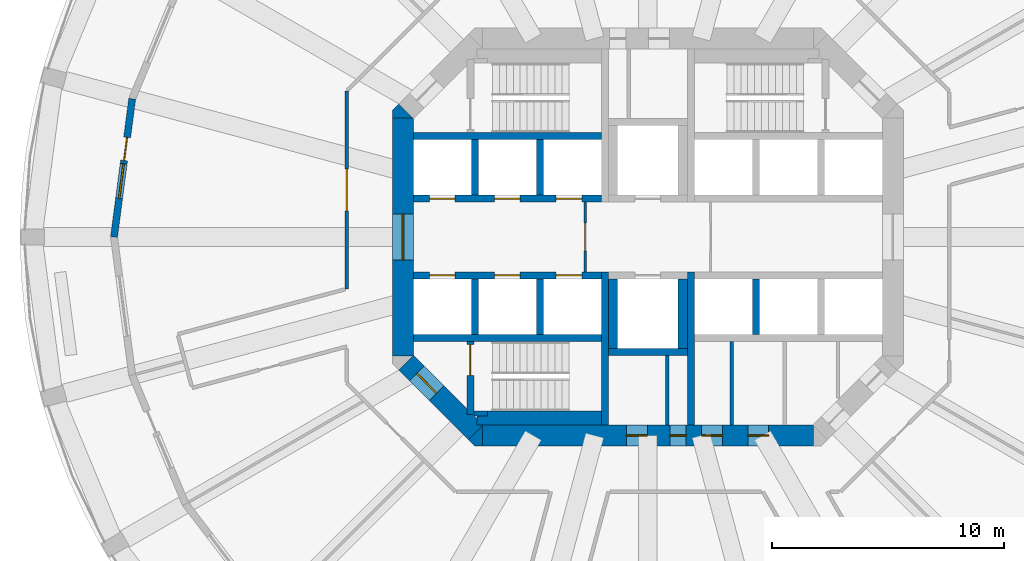
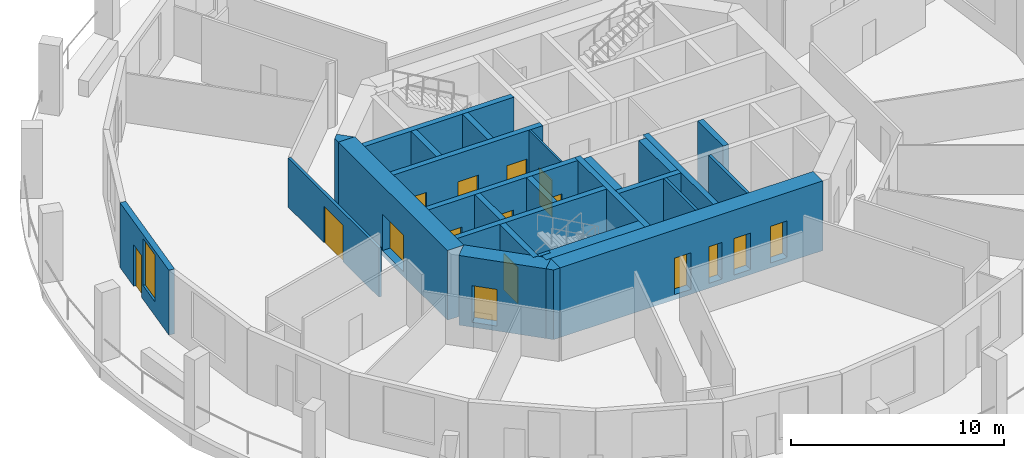
# One storey, part 3 of 9: 27 walls, 16 doors, 1 window, 17 openings.
"""IFC4 building model written with IfcOpenShell, lengths in metres."""

from ifc_helpers import new_model, si_unit, direction, frame, frame_2d, origin, place, context, subcontext, project, spatial, polyline, rectangle, outline, extrude, material, layer, layer_set, type_object, element, fill, save


model = new_model("IFC4")

# Units and contexts
model_context = context("Model", 3, precision=1e-05, world=origin(), true_north=direction((0.0, 1.0)))
body_context = subcontext(model_context, "Body", "Model", "MODEL_VIEW")
ifc_project = project(units=[si_unit("LENGTHUNIT", "METRE"), si_unit("AREAUNIT", "SQUARE_METRE"), si_unit("VOLUMEUNIT", "CUBIC_METRE"), si_unit("PLANEANGLEUNIT", "RADIAN"), si_unit("MASSUNIT", "GRAM", prefix="KILO")], contexts=[model_context])

# Site, building, storey
site_placement = place(None, origin())
site = spatial("IfcSite", under=ifc_project, at=site_placement, CompositionType="ELEMENT")
building_placement = place(site_placement, origin())
building = spatial("IfcBuilding", under=site, at=building_placement, Name="Torre Triforio", CompositionType="ELEMENT")
storey_placement = place(building_placement, frame((0.0, 0.0, 63.0)))
storey = spatial("IfcBuildingStorey", under=building, at=storey_placement, Name="L13", CompositionType="ELEMENT", Elevation=63.0)

# Walls
ifc_material_1 = material(Name="Concrete C60", Category="concrete")
ifc_layer_1 = layer(ifc_material_1, 0.300048828125)
ifc_layer_set_1 = layer_set([ifc_layer_1], Name="Concrete C60")
wall_type_1 = type_object("IfcWallType", Name="Core wall 300 mm C60 EI 120", PredefinedType="SHEAR", material=ifc_layer_set_1)
for number, where, z_axis, x_axis, name in (
    (1, (-1.85009765625, -8.10009765625, 0.0), (0.0, 0.0, 1.0), (0.0, 1.0, 0.0), "Core wall"),
    (2, (1.85009765625, -8.10009765625, 0.0), (0.0, 0.0, 1.0), (0.0, 1.0, 0.0), "Core wall"),
):
    element("IfcWall", number, at=place(storey_placement, frame(where, z_axis=z_axis, x_axis=x_axis)), inside=storey, type_object=wall_type_1, Name=name, PredefinedType="SHEAR", context=body_context, shape_type="SweptSolid", body=[
        extrude(rectangle(XDim=6.60009765625, YDim=0.300048828125, at=frame_2d((3.300048828125, 0.0))), origin(), (0.0, 0.0, 1.0), 3.719970703125),
    ])

# Wall, openings, doors
ifc_layer_2 = layer(ifc_material_1, 0.89990234375)
ifc_layer_set_2 = layer_set([ifc_layer_2], Name="Concrete C60")
wall_type_2 = type_object("IfcWallType", Name="Core wall 900 mm C60 EI 120", PredefinedType="SHEAR", material=ifc_layer_set_2)
wall_1_placement = place(storey_placement, frame((-7.1298828125, -8.550048828125, -0.280029296875), z_axis=(0.0, 0.0, 1.0), x_axis=(1.0, 0.0, 0.0)))
wall_1 = element("IfcWall", 3, at=wall_1_placement, inside=storey, type_object=wall_type_2, Name="Core wall", PredefinedType="SHEAR", context=body_context, shape_type="SweptSolid", body=[
    extrude(rectangle(XDim=14.259765625, YDim=0.89990234375, at=frame_2d((7.1298828125, 0.0))), origin(), (0.0, 0.0, 1.0), 4.0),
])
opening_1_placement = place(wall_1_placement, frame((8.080078125, 0.0, 0.280029296875)))
opening_1 = element("IfcOpeningElement", 4, at=opening_1_placement, cuts=wall_1, Name="Opening RISER-S", PredefinedType="OPENING", context=body_context, shape_type="SweptSolid", body=[
    extrude(rectangle(XDim=0.699951171875, YDim=2.10009765625, at=frame_2d((0.35009765625, 1.050048828125))), frame((0.0, 0.4599609375, 0.0), z_axis=(0.0, -1.0, 0.0), x_axis=(1.0, 0.0, 0.0)), (0.0, 0.0, 1.0), 0.919921875),
])
opening_2_placement = place(wall_1_placement, frame((6.205078125, 0.0, 0.280029296875)))
opening_2 = element("IfcOpeningElement", 5, at=opening_2_placement, cuts=wall_1, Name="Opening SW-01B", PredefinedType="OPENING", context=body_context, shape_type="SweptSolid", body=[
    extrude(rectangle(XDim=0.89990234375, YDim=2.10009765625, at=frame_2d((0.449951171875, 1.050048828125))), frame((0.0, 0.4599609375, 0.0), z_axis=(0.0, -1.0, 0.0), x_axis=(1.0, 0.0, 0.0)), (0.0, 0.0, 1.0), 0.919921875),
])
opening_3_placement = place(wall_1_placement, frame((9.445068359375, 0.0, 0.280029296875)))
opening_3 = element("IfcOpeningElement", 6, at=opening_3_placement, cuts=wall_1, Name="Opening SE-01A", PredefinedType="OPENING", context=body_context, shape_type="SweptSolid", body=[
    extrude(rectangle(XDim=0.89990234375, YDim=2.10009765625, at=frame_2d((0.449951171875, 1.050048828125))), frame((0.0, 0.4599609375, 0.0), z_axis=(0.0, -1.0, 0.0), x_axis=(1.0, 0.0, 0.0)), (0.0, 0.0, 1.0), 0.919921875),
])
opening_4_placement = place(wall_1_placement, frame((11.430908203125, 0.0, 0.280029296875)))
opening_4 = element("IfcOpeningElement", 7, at=opening_4_placement, cuts=wall_1, Name="Opening SE-02", PredefinedType="OPENING", context=body_context, shape_type="SweptSolid", body=[
    extrude(rectangle(XDim=0.89990234375, YDim=2.10009765625, at=frame_2d((0.449951171875, 1.050048828125))), frame((0.0, 0.4599609375, 0.0), z_axis=(0.0, -1.0, 0.0), x_axis=(1.0, 0.0, 0.0)), (0.0, 0.0, 1.0), 0.919921875),
])
ifc_material_2 = material(Name="Hollow metal fire door leaf")
door_type_1 = type_object("IfcDoorType", Name="Riser door 700 x 2100 EI 60", OperationType="NOTDEFINED", PredefinedType="DOOR", material=ifc_material_2)
door_1_placement = place(opening_1_placement, origin())
door_1 = element("IfcDoor", 8, at=door_1_placement, inside=storey, type_object=door_type_1, Name="Core door RISER-S", OperationType="SINGLE_SWING_RIGHT", OverallHeight=2.10009765625, OverallWidth=0.699951171875, PredefinedType="DOOR", context=body_context, shape_type="SweptSolid", body=[
    extrude(rectangle(XDim=0.699951171875, YDim=2.10009765625, at=frame_2d((0.35009765625, 1.050048828125))), frame((0.0, 0.02490234375, 0.0), z_axis=(0.0, -1.0, 0.0), x_axis=(1.0, 0.0, 0.0)), (0.0, 0.0, 1.0), 0.050048828125),
])
fill(opening_1, door_1)
door_type_2 = type_object("IfcDoorType", Name="Room door 900 x 2100 EI 60", OperationType="NOTDEFINED", PredefinedType="DOOR", material=ifc_material_2)
door_2_placement = place(opening_2_placement, origin())
door_2 = element("IfcDoor", 9, at=door_2_placement, inside=storey, type_object=door_type_2, Name="Core door SW-01", OperationType="SINGLE_SWING_LEFT", OverallHeight=2.10009765625, OverallWidth=0.89990234375, PredefinedType="DOOR", context=body_context, shape_type="SweptSolid", body=[
    extrude(rectangle(XDim=0.89990234375, YDim=2.10009765625, at=frame_2d((0.449951171875, 1.050048828125))), frame((0.0, 0.02490234375, 0.0), z_axis=(0.0, -1.0, 0.0), x_axis=(1.0, 0.0, 0.0)), (0.0, 0.0, 1.0), 0.050048828125),
])
fill(opening_2, door_2)
door_3_placement = place(opening_3_placement, origin())
door_3 = element("IfcDoor", 10, at=door_3_placement, inside=storey, type_object=door_type_2, Name="Core door SE-01", OperationType="SINGLE_SWING_RIGHT", OverallHeight=2.10009765625, OverallWidth=0.89990234375, PredefinedType="DOOR", context=body_context, shape_type="SweptSolid", body=[
    extrude(rectangle(XDim=0.89990234375, YDim=2.10009765625, at=frame_2d((0.449951171875, 1.050048828125))), frame((0.0, 0.02490234375, 0.0), z_axis=(0.0, -1.0, 0.0), x_axis=(1.0, 0.0, 0.0)), (0.0, 0.0, 1.0), 0.050048828125),
])
fill(opening_3, door_3)
door_4_placement = place(opening_4_placement, origin())
door_4 = element("IfcDoor", 11, at=door_4_placement, inside=storey, type_object=door_type_2, Name="Core door SE-02", OperationType="SINGLE_SWING_LEFT", OverallHeight=2.10009765625, OverallWidth=0.89990234375, PredefinedType="DOOR", context=body_context, shape_type="SweptSolid", body=[
    extrude(rectangle(XDim=0.89990234375, YDim=2.10009765625, at=frame_2d((0.449951171875, 1.050048828125))), frame((0.0, 0.02490234375, 0.0), z_axis=(0.0, -1.0, 0.0), x_axis=(1.0, 0.0, 0.0)), (0.0, 0.0, 1.0), 0.050048828125),
])
fill(opening_4, door_4)

# Wall, opening, door
wall_2_placement = place(storey_placement, frame((-10.550048828125, -5.1298828125, -0.280029296875), z_axis=(0.0, 0.0, 1.0), x_axis=(0.0, 1.0, 0.0)))
wall_2 = element("IfcWall", 12, at=wall_2_placement, inside=storey, type_object=wall_type_2, Name="Core wall", PredefinedType="SHEAR", context=body_context, shape_type="SweptSolid", body=[
    extrude(rectangle(XDim=10.259765625, YDim=0.89990234375, at=frame_2d((5.1298828125, 0.0))), origin(), (0.0, 0.0, 1.0), 4.0),
])
opening_5_placement = place(wall_2_placement, frame((4.1298828125, 0.0, 0.280029296875)))
opening_5 = element("IfcOpeningElement", 13, at=opening_5_placement, cuts=wall_2, Name="Opening W-RING", PredefinedType="OPENING", context=body_context, shape_type="SweptSolid", body=[
    extrude(rectangle(XDim=2.0, YDim=2.10009765625, at=frame_2d((1.0, 1.050048828125))), frame((0.0, 0.4599609375, 0.0), z_axis=(0.0, -1.0, 0.0), x_axis=(1.0, 0.0, 0.0)), (0.0, 0.0, 1.0), 0.919921875),
])
door_type_3 = type_object("IfcDoorType", Name="Lobby door 2000 x 2100 EI 60", OperationType="DOUBLE_DOOR_SINGLE_SWING", PredefinedType="DOOR", material=ifc_material_2)
door_5_placement = place(opening_5_placement, origin())
door_5 = element("IfcDoor", 14, at=door_5_placement, inside=storey, type_object=door_type_3, Name="Core door W-RING", OperationType="DOUBLE_DOOR_SINGLE_SWING", OverallHeight=2.10009765625, OverallWidth=2.0, PredefinedType="DOOR", context=body_context, shape_type="SweptSolid", body=[
    extrude(rectangle(XDim=2.0, YDim=2.10009765625, at=frame_2d((1.0, 1.050048828125))), frame((0.0, 0.02490234375, 0.0), z_axis=(0.0, -1.0, 0.0), x_axis=(1.0, 0.0, 0.0)), (0.0, 0.0, 1.0), 0.050048828125),
])
fill(opening_5, door_5)

wall_3_placement = place(storey_placement, frame((-7.418212890625, -8.418212890625, -0.280029296875), z_axis=(0.0, 0.0, 1.0), x_axis=(-0.707106781187, 0.707106781187, 0.0)))
wall_3 = element("IfcWall", 15, at=wall_3_placement, inside=storey, type_object=wall_type_2, Name="Core wall", PredefinedType="SHEAR", context=body_context, shape_type="SweptSolid", body=[
    extrude(rectangle(XDim=4.24267578125, YDim=0.89990234375, at=frame_2d((2.121337890625, 0.0))), origin(), (0.0, 0.0, 1.0), 4.0),
])
opening_6_placement = place(wall_3_placement, frame((2.392578125, 0.0, 0.280029296875)))
opening_6 = element("IfcOpeningElement", 16, at=opening_6_placement, cuts=wall_3, Name="Opening ST3-EXIT", PredefinedType="OPENING", context=body_context, shape_type="SweptSolid", body=[
    extrude(rectangle(XDim=1.199951171875, YDim=2.10009765625, at=frame_2d((0.60009765625, 1.050048828125))), frame((0.0, 0.4599609375, 0.0), z_axis=(0.0, -1.0, 0.0), x_axis=(1.0, 0.0, 0.0)), (0.0, 0.0, 1.0), 0.919921875),
])
door_type_4 = type_object("IfcDoorType", Name="Stair lobby door 1200 x 2100 EI 60", OperationType="NOTDEFINED", PredefinedType="DOOR", material=ifc_material_2)
door_6_placement = place(opening_6_placement, origin())
door_6 = element("IfcDoor", 17, at=door_6_placement, inside=storey, type_object=door_type_4, Name="Core door ST3-EXIT", OperationType="SINGLE_SWING_RIGHT", OverallHeight=2.10009765625, OverallWidth=1.199951171875, PredefinedType="DOOR", context=body_context, shape_type="SweptSolid", body=[
    extrude(rectangle(XDim=1.199951171875, YDim=2.10009765625, at=frame_2d((0.60009765625, 1.050048828125))), frame((0.0, 0.02490234375, 0.0), z_axis=(0.0, -1.0, 0.0), x_axis=(1.0, 0.0, 0.0)), (0.0, 0.0, 1.0), 0.050048828125),
])
fill(opening_6, door_6)

# Walls
wall_4_placement = place(storey_placement, frame((0.0, 0.0, -0.280029296875)))
element("IfcWall", 18, at=wall_4_placement, inside=storey, type_object=wall_type_2, Name="Core wall", PredefinedType="SHEAR", context=body_context, shape_type="SweptSolid", body=[
    extrude(outline(polyline([(-7.472900390625, -9.0), (-7.736328125, -8.736328125), (-7.1298828125, -8.1298828125), (-7.1298828125, -9.0), (-7.472900390625, -9.0)])), origin(), (0.0, 0.0, 1.0), 4.0),
])
wall_5_placement = place(storey_placement, frame((0.0, 0.0, -0.280029296875)))
element("IfcWall", 19, at=wall_5_placement, inside=storey, type_object=wall_type_2, Name="Core wall", PredefinedType="SHEAR", context=body_context, shape_type="SweptSolid", body=[
    extrude(outline(polyline([(-10.736328125, 5.736328125), (-10.1298828125, 5.1298828125), (-11.0, 5.1298828125), (-11.0, 5.472900390625), (-10.736328125, 5.736328125)])), origin(), (0.0, 0.0, 1.0), 4.0),
])

# Wall, opening, door
ifc_material_3 = material(Name="Plasterboard on metal studs")
ifc_layer_3 = layer(ifc_material_3, 0.14990234375)
ifc_layer_set_3 = layer_set([ifc_layer_3], Name="Plasterboard on metal studs")
wall_type_3 = type_object("IfcWallType", Name="Corridor and tenancy wall 150 mm EI 60", PredefinedType="PARTITIONING", material=ifc_layer_set_3)
wall_6_placement = place(storey_placement, frame((-12.97509765625, -2.234375, 0.0), z_axis=(0.0, 0.0, 1.0), x_axis=(0.0, 1.0, 0.0)))
wall_6 = element("IfcWall", 20, at=wall_6_placement, inside=storey, type_object=wall_type_3, Name="Partition 3", PredefinedType="PARTITIONING", context=body_context, shape_type="SweptSolid", body=[
    extrude(rectangle(XDim=8.525390625, YDim=0.14990234375, at=frame_2d((4.2626953125, 0.0))), origin(), (0.0, 0.0, 1.0), 2.820068359375),
])
opening_7_placement = place(wall_6_placement, frame((3.362548828125, 0.0, 0.0)))
opening_7 = element("IfcOpeningElement", 21, at=opening_7_placement, cuts=wall_6, Name="Opening N4-01", PredefinedType="OPENING", context=body_context, shape_type="SweptSolid", body=[
    extrude(rectangle(XDim=1.800048828125, YDim=2.10009765625, at=frame_2d((0.89990234375, 1.050048828125))), frame((0.0, 0.0849609375, 0.0), z_axis=(0.0, -1.0, 0.0), x_axis=(1.0, 0.0, 0.0)), (0.0, 0.0, 1.0), 0.169921875),
])
ifc_material_4 = material(Name="Timber", Category="wood")
door_type_5 = type_object("IfcDoorType", Name="Door 1800 x 2100 double leaf EI 30", OperationType="DOUBLE_DOOR_SINGLE_SWING", PredefinedType="DOOR", material=ifc_material_4)
door_7_placement = place(opening_7_placement, origin())
door_7 = element("IfcDoor", 22, at=door_7_placement, inside=storey, type_object=door_type_5, Name="Door N4-01", OperationType="DOUBLE_DOOR_SINGLE_SWING", OverallHeight=2.10009765625, OverallWidth=1.800048828125, PredefinedType="DOOR", context=body_context, shape_type="SweptSolid", body=[
    extrude(rectangle(XDim=1.800048828125, YDim=2.10009765625, at=frame_2d((0.89990234375, 1.050048828125))), frame((0.0, 0.02490234375, 0.0), z_axis=(0.0, -1.0, 0.0), x_axis=(1.0, 0.0, 0.0)), (0.0, 0.0, 1.0), 0.050048828125),
])
fill(opening_7, door_7)

ifc_material_5 = material(Name="Block and board partition")
ifc_layer_4 = layer(ifc_material_5, 0.10009765625)
ifc_layer_set_4 = layer_set([ifc_layer_4], Name="Block and board partition")
wall_type_4 = type_object("IfcWallType", Name="Partition 100 mm EI 120", PredefinedType="PARTITIONING", material=ifc_layer_set_4)
wall_7_placement = place(storey_placement, frame((-2.699951171875, -1.5, 0.0), z_axis=(0.0, 0.0, 1.0), x_axis=(0.0, 1.0, 0.0)))
wall_7 = element("IfcWall", 23, at=wall_7_placement, inside=storey, type_object=wall_type_4, Name="Partition", PredefinedType="PARTITIONING", context=body_context, shape_type="SweptSolid", body=[
    extrude(rectangle(XDim=3.0, YDim=0.10009765625, at=frame_2d((1.5, 0.0))), origin(), (0.0, 0.0, 1.0), 3.719970703125),
])
opening_8_placement = place(wall_7_placement, frame((0.89990234375, 0.0, 0.0)))
opening_8 = element("IfcOpeningElement", 24, at=opening_8_placement, cuts=wall_7, Name="Opening FF-W", PredefinedType="OPENING", context=body_context, shape_type="SweptSolid", body=[
    extrude(rectangle(XDim=1.199951171875, YDim=2.10009765625, at=frame_2d((0.60009765625, 1.050048828125))), frame((0.0, 0.06005859375, 0.0), z_axis=(0.0, -1.0, 0.0), x_axis=(1.0, 0.0, 0.0)), (0.0, 0.0, 1.0), 0.1201171875),
])
door_type_6 = type_object("IfcDoorType", Name="Fire-fighting lobby door 1200 x 2100 EI 60", OperationType="NOTDEFINED", PredefinedType="DOOR", material=ifc_material_2)
door_8_placement = place(opening_8_placement, origin())
door_8 = element("IfcDoor", 25, at=door_8_placement, inside=storey, type_object=door_type_6, Name="Core door FF-W", OperationType="SINGLE_SWING_LEFT", OverallHeight=2.10009765625, OverallWidth=1.199951171875, PredefinedType="DOOR", context=body_context, shape_type="SweptSolid", body=[
    extrude(rectangle(XDim=1.199951171875, YDim=2.10009765625, at=frame_2d((0.60009765625, 1.050048828125))), frame((0.0, 0.02490234375, 0.0), z_axis=(0.0, -1.0, 0.0), x_axis=(1.0, 0.0, 0.0)), (0.0, 0.0, 1.0), 0.050048828125),
])
fill(opening_8, door_8)

# Walls
ifc_layer_5 = layer(ifc_material_5, 0.14990234375)
ifc_layer_set_5 = layer_set([ifc_layer_5], Name="Block and board partition")
wall_type_5 = type_object("IfcWallType", Name="Partition 150 mm", PredefinedType="PARTITIONING", material=ifc_layer_set_5)
wall_8_placement = place(storey_placement, frame((3.60498046875, -8.10009765625, 0.0), z_axis=(0.0, 0.0, 1.0), x_axis=(0.0, 1.0, 0.0)))
element("IfcWall", 26, at=wall_8_placement, inside=storey, type_object=wall_type_5, Name="Partition", PredefinedType="PARTITIONING", context=body_context, shape_type="SweptSolid", body=[
    extrude(rectangle(XDim=3.60009765625, YDim=0.14990234375, at=frame_2d((1.800048828125, 0.0))), origin(), (0.0, 0.0, 1.0), 3.719970703125),
])
ifc_layer_6 = layer(ifc_material_5, 0.14990234375)
ifc_layer_set_6 = layer_set([ifc_layer_6], Name="Block and board partition")
wall_type_6 = type_object("IfcWallType", Name="Partition 150 mm EI 120", PredefinedType="PARTITIONING", material=ifc_layer_set_6)
wall_9_placement = place(storey_placement, frame((0.824951171875, -8.10009765625, 0.0), z_axis=(0.0, 0.0, 1.0), x_axis=(0.0, 1.0, 0.0)))
element("IfcWall", 27, at=wall_9_placement, inside=storey, type_object=wall_type_6, Name="Partition", PredefinedType="PARTITIONING", context=body_context, shape_type="SweptSolid", body=[
    extrude(rectangle(XDim=3.0, YDim=0.14990234375, at=frame_2d((1.5, 0.0))), origin(), (0.0, 0.0, 1.0), 3.719970703125),
])
ifc_layer_7 = layer(ifc_material_1, 0.300048828125)
ifc_layer_set_7 = layer_set([ifc_layer_7], Name="Concrete C60")
wall_type_7 = type_object("IfcWallType", Name="Shaft wall 300 mm C60 EI 120", PredefinedType="SOLIDWALL", material=ifc_layer_set_7)
for number, where, z_axis, x_axis, name in (
    (28, (-10.10009765625, 4.35009765625, 0.0), (0.0, 0.0, 1.0), (1.0, 0.0, 0.0), "Shaft wall"),
    (29, (-10.10009765625, -4.35009765625, 0.0), (0.0, 0.0, 1.0), (1.0, 0.0, 0.0), "Shaft wall"),
):
    element("IfcWall", number, at=place(storey_placement, frame(where, z_axis=z_axis, x_axis=x_axis)), inside=storey, type_object=wall_type_7, Name=name, PredefinedType="SOLIDWALL", context=body_context, shape_type="SweptSolid", body=[
        extrude(rectangle(XDim=8.10009765625, YDim=0.300048828125, at=frame_2d((4.050048828125, 0.0))), origin(), (0.0, 0.0, 1.0), 3.719970703125),
    ])

# Wall, openings, doors
wall_10_placement = place(storey_placement, frame((-10.10009765625, 1.64990234375, 0.0), z_axis=(0.0, 0.0, 1.0), x_axis=(1.0, 0.0, 0.0)))
wall_10 = element("IfcWall", 30, at=wall_10_placement, inside=storey, type_object=wall_type_7, Name="Shaft wall", PredefinedType="SOLIDWALL", context=body_context, shape_type="SweptSolid", body=[
    extrude(rectangle(XDim=8.10009765625, YDim=0.300048828125, at=frame_2d((4.050048828125, 0.0))), origin(), (0.0, 0.0, 1.0), 3.719970703125),
])
opening_9_placement = place(wall_10_placement, frame((0.699951171875, 0.0, 0.0)))
opening_9 = element("IfcOpeningElement", 31, at=opening_9_placement, cuts=wall_10, Name="Opening LD", PredefinedType="OPENING", context=body_context, shape_type="SweptSolid", body=[
    extrude(rectangle(XDim=1.10009765625, YDim=2.10009765625, at=frame_2d((0.550048828125, 1.050048828125))), frame((0.0, 0.159912109375, 0.0), z_axis=(0.0, -1.0, 0.0), x_axis=(1.0, 0.0, 0.0)), (0.0, 0.0, 1.0), 0.320068359375),
])
opening_10_placement = place(wall_10_placement, frame((3.5, 0.0, 0.0)))
opening_10 = element("IfcOpeningElement", 32, at=opening_10_placement, cuts=wall_10, Name="Opening LD", PredefinedType="OPENING", context=body_context, shape_type="SweptSolid", body=[
    extrude(rectangle(XDim=1.10009765625, YDim=2.10009765625, at=frame_2d((0.550048828125, 1.050048828125))), frame((0.0, 0.159912109375, 0.0), z_axis=(0.0, -1.0, 0.0), x_axis=(1.0, 0.0, 0.0)), (0.0, 0.0, 1.0), 0.320068359375),
])
opening_11_placement = place(wall_10_placement, frame((6.14990234375, 0.0, 0.0)))
opening_11 = element("IfcOpeningElement", 33, at=opening_11_placement, cuts=wall_10, Name="Opening LD", PredefinedType="OPENING", context=body_context, shape_type="SweptSolid", body=[
    extrude(rectangle(XDim=1.10009765625, YDim=2.10009765625, at=frame_2d((0.550048828125, 1.050048828125))), frame((0.0, 0.159912109375, 0.0), z_axis=(0.0, -1.0, 0.0), x_axis=(1.0, 0.0, 0.0)), (0.0, 0.0, 1.0), 0.320068359375),
])
door_type_7 = type_object("IfcDoorType", Name="Landing door 1100 x 2100 EI 60", OperationType="DOUBLE_DOOR_SLIDING", PredefinedType="DOOR", material=ifc_material_2)
door_9_placement = place(opening_9_placement, origin())
door_9 = element("IfcDoor", 34, at=door_9_placement, inside=storey, type_object=door_type_7, Name="Landing door LR1", OperationType="DOUBLE_DOOR_SLIDING", OverallHeight=2.10009765625, OverallWidth=1.10009765625, PredefinedType="DOOR", context=body_context, shape_type="SweptSolid", body=[
    extrude(rectangle(XDim=1.10009765625, YDim=2.10009765625, at=frame_2d((0.550048828125, 1.050048828125))), frame((0.0, 0.02490234375, 0.0), z_axis=(0.0, -1.0, 0.0), x_axis=(1.0, 0.0, 0.0)), (0.0, 0.0, 1.0), 0.050048828125),
])
fill(opening_9, door_9)
door_10_placement = place(opening_10_placement, origin())
door_10 = element("IfcDoor", 35, at=door_10_placement, inside=storey, type_object=door_type_7, Name="Landing door LR2", OperationType="DOUBLE_DOOR_SLIDING", OverallHeight=2.10009765625, OverallWidth=1.10009765625, PredefinedType="DOOR", context=body_context, shape_type="SweptSolid", body=[
    extrude(rectangle(XDim=1.10009765625, YDim=2.10009765625, at=frame_2d((0.550048828125, 1.050048828125))), frame((0.0, 0.02490234375, 0.0), z_axis=(0.0, -1.0, 0.0), x_axis=(1.0, 0.0, 0.0)), (0.0, 0.0, 1.0), 0.050048828125),
])
fill(opening_10, door_10)
door_11_placement = place(opening_11_placement, origin())
door_11 = element("IfcDoor", 36, at=door_11_placement, inside=storey, type_object=door_type_7, Name="Landing door LR3", OperationType="DOUBLE_DOOR_SLIDING", OverallHeight=2.10009765625, OverallWidth=1.10009765625, PredefinedType="DOOR", context=body_context, shape_type="SweptSolid", body=[
    extrude(rectangle(XDim=1.10009765625, YDim=2.10009765625, at=frame_2d((0.550048828125, 1.050048828125))), frame((0.0, 0.02490234375, 0.0), z_axis=(0.0, -1.0, 0.0), x_axis=(1.0, 0.0, 0.0)), (0.0, 0.0, 1.0), 0.050048828125),
])
fill(opening_11, door_11)

wall_11_placement = place(storey_placement, frame((-10.10009765625, -1.64990234375, 0.0), z_axis=(0.0, 0.0, 1.0), x_axis=(1.0, 0.0, 0.0)))
wall_11 = element("IfcWall", 37, at=wall_11_placement, inside=storey, type_object=wall_type_7, Name="Shaft wall", PredefinedType="SOLIDWALL", context=body_context, shape_type="SweptSolid", body=[
    extrude(rectangle(XDim=8.10009765625, YDim=0.300048828125, at=frame_2d((4.050048828125, 0.0))), origin(), (0.0, 0.0, 1.0), 3.719970703125),
])
opening_12_placement = place(wall_11_placement, frame((0.699951171875, 0.0, 0.0)))
opening_12 = element("IfcOpeningElement", 38, at=opening_12_placement, cuts=wall_11, Name="Opening LD", PredefinedType="OPENING", context=body_context, shape_type="SweptSolid", body=[
    extrude(rectangle(XDim=1.10009765625, YDim=2.10009765625, at=frame_2d((0.550048828125, 1.050048828125))), frame((0.0, 0.159912109375, 0.0), z_axis=(0.0, -1.0, 0.0), x_axis=(1.0, 0.0, 0.0)), (0.0, 0.0, 1.0), 0.320068359375),
])
opening_13_placement = place(wall_11_placement, frame((3.5, 0.0, 0.0)))
opening_13 = element("IfcOpeningElement", 39, at=opening_13_placement, cuts=wall_11, Name="Opening LD", PredefinedType="OPENING", context=body_context, shape_type="SweptSolid", body=[
    extrude(rectangle(XDim=1.10009765625, YDim=2.10009765625, at=frame_2d((0.550048828125, 1.050048828125))), frame((0.0, 0.159912109375, 0.0), z_axis=(0.0, -1.0, 0.0), x_axis=(1.0, 0.0, 0.0)), (0.0, 0.0, 1.0), 0.320068359375),
])
opening_14_placement = place(wall_11_placement, frame((6.14990234375, 0.0, 0.0)))
opening_14 = element("IfcOpeningElement", 40, at=opening_14_placement, cuts=wall_11, Name="Opening LD", PredefinedType="OPENING", context=body_context, shape_type="SweptSolid", body=[
    extrude(rectangle(XDim=1.10009765625, YDim=2.10009765625, at=frame_2d((0.550048828125, 1.050048828125))), frame((0.0, 0.159912109375, 0.0), z_axis=(0.0, -1.0, 0.0), x_axis=(1.0, 0.0, 0.0)), (0.0, 0.0, 1.0), 0.320068359375),
])
door_12_placement = place(opening_12_placement, origin())
door_12 = element("IfcDoor", 41, at=door_12_placement, inside=storey, type_object=door_type_7, Name="Landing door LR4", OperationType="DOUBLE_DOOR_SLIDING", OverallHeight=2.10009765625, OverallWidth=1.10009765625, PredefinedType="DOOR", context=body_context, shape_type="SweptSolid", body=[
    extrude(rectangle(XDim=1.10009765625, YDim=2.10009765625, at=frame_2d((0.550048828125, 1.050048828125))), frame((0.0, 0.02490234375, 0.0), z_axis=(0.0, -1.0, 0.0), x_axis=(1.0, 0.0, 0.0)), (0.0, 0.0, 1.0), 0.050048828125),
])
fill(opening_12, door_12)
door_13_placement = place(opening_13_placement, origin())
door_13 = element("IfcDoor", 42, at=door_13_placement, inside=storey, type_object=door_type_7, Name="Landing door LR5", OperationType="DOUBLE_DOOR_SLIDING", OverallHeight=2.10009765625, OverallWidth=1.10009765625, PredefinedType="DOOR", context=body_context, shape_type="SweptSolid", body=[
    extrude(rectangle(XDim=1.10009765625, YDim=2.10009765625, at=frame_2d((0.550048828125, 1.050048828125))), frame((0.0, 0.02490234375, 0.0), z_axis=(0.0, -1.0, 0.0), x_axis=(1.0, 0.0, 0.0)), (0.0, 0.0, 1.0), 0.050048828125),
])
fill(opening_13, door_13)
door_14_placement = place(opening_14_placement, origin())
door_14 = element("IfcDoor", 43, at=door_14_placement, inside=storey, type_object=door_type_7, Name="Landing door LR6", OperationType="DOUBLE_DOOR_SLIDING", OverallHeight=2.10009765625, OverallWidth=1.10009765625, PredefinedType="DOOR", context=body_context, shape_type="SweptSolid", body=[
    extrude(rectangle(XDim=1.10009765625, YDim=2.10009765625, at=frame_2d((0.550048828125, 1.050048828125))), frame((0.0, 0.02490234375, 0.0), z_axis=(0.0, -1.0, 0.0), x_axis=(1.0, 0.0, 0.0)), (0.0, 0.0, 1.0), 0.050048828125),
])
fill(opening_14, door_14)

# Walls
for number, where, z_axis, x_axis, name in (
    (44, (-7.449951171875, 1.800048828125, 0.0), (0.0, 0.0, 1.0), (0.0, 1.0, 0.0), "Shaft wall"),
    (45, (-7.449951171875, -4.199951171875, 0.0), (0.0, 0.0, 1.0), (0.0, 1.0, 0.0), "Shaft wall"),
    (46, (-4.64990234375, 1.800048828125, 0.0), (0.0, 0.0, 1.0), (0.0, 1.0, 0.0), "Shaft wall"),
    (47, (-4.64990234375, -4.199951171875, 0.0), (0.0, 0.0, 1.0), (0.0, 1.0, 0.0), "Shaft wall"),
    (48, (4.64990234375, -4.199951171875, 0.0), (0.0, 0.0, 1.0), (0.0, 1.0, 0.0), "Shaft wall"),
):
    element("IfcWall", number, at=place(storey_placement, frame(where, z_axis=z_axis, x_axis=x_axis)), inside=storey, type_object=wall_type_7, Name=name, PredefinedType="SOLIDWALL", context=body_context, shape_type="SweptSolid", body=[
        extrude(rectangle(XDim=2.39990234375, YDim=0.300048828125, at=frame_2d((1.199951171875, 0.0))), origin(), (0.0, 0.0, 1.0), 3.719970703125),
    ])
wall_12_placement = place(storey_placement, frame((-1.699951171875, -4.949951171875, 0.0), z_axis=(0.0, 0.0, 1.0), x_axis=(1.0, 0.0, 0.0)))
element("IfcWall", 49, at=wall_12_placement, inside=storey, type_object=wall_type_7, Name="Shaft wall", PredefinedType="SOLIDWALL", context=body_context, shape_type="SweptSolid", body=[
    extrude(rectangle(XDim=3.39990234375, YDim=0.300048828125, at=frame_2d((1.699951171875, 0.0))), origin(), (0.0, 0.0, 1.0), 3.719970703125),
])
ifc_layer_8 = layer(ifc_material_1, 0.39990234375)
ifc_layer_set_8 = layer_set([ifc_layer_8], Name="Concrete C60")
wall_type_8 = type_object("IfcWallType", Name="Shaft wall 400 mm C60 EI 120", PredefinedType="SOLIDWALL", material=ifc_layer_set_8)
for number, where, z_axis, x_axis, name in (
    (50, (-1.5, -4.800048828125, 0.0), (0.0, 0.0, 1.0), (0.0, 1.0, 0.0), "Shaft wall"),
    (51, (1.5, -4.800048828125, 0.0), (0.0, 0.0, 1.0), (0.0, 1.0, 0.0), "Shaft wall"),
):
    element("IfcWall", number, at=place(storey_placement, frame(where, z_axis=z_axis, x_axis=x_axis)), inside=storey, type_object=wall_type_8, Name=name, PredefinedType="SOLIDWALL", context=body_context, shape_type="SweptSolid", body=[
        extrude(rectangle(XDim=3.0, YDim=0.39990234375, at=frame_2d((1.5, 0.0))), origin(), (0.0, 0.0, 1.0), 3.719970703125),
    ])
ifc_layer_9 = layer(ifc_material_1, 0.199951171875)
ifc_layer_set_9 = layer_set([ifc_layer_9], Name="Concrete C60")
wall_type_9 = type_object("IfcWallType", Name="Stair wall 200 mm C60 EI 120", PredefinedType="SHEAR", material=ifc_layer_set_9)
wall_13_placement = place(storey_placement, frame((-7.5, -7.60009765625, 0.0), z_axis=(0.0, 0.0, 1.0), x_axis=(1.0, 0.0, 0.0)))
element("IfcWall", 52, at=wall_13_placement, inside=storey, type_object=wall_type_9, Name="Stair wall", PredefinedType="SHEAR", context=body_context, shape_type="SweptSolid", body=[
    extrude(rectangle(XDim=0.60009765625, YDim=0.199951171875, at=frame_2d((0.300048828125, 0.0))), origin(), (0.0, 0.0, 1.0), 3.719970703125),
])

# Wall, opening, door
ifc_layer_10 = layer(ifc_material_1, 0.300048828125)
ifc_layer_set_10 = layer_set([ifc_layer_10], Name="Concrete C60")
wall_type_10 = type_object("IfcWallType", Name="Stair wall 300 mm C60 EI 120", PredefinedType="SHEAR", material=ifc_layer_set_10)
wall_14_placement = place(storey_placement, frame((-7.64990234375, -7.639892578125, 0.0), z_axis=(0.0, 0.0, 1.0), x_axis=(0.0, 1.0, 0.0)))
wall_14 = element("IfcWall", 53, at=wall_14_placement, inside=storey, type_object=wall_type_10, Name="Stair wall", PredefinedType="SHEAR", context=body_context, shape_type="SweptSolid", body=[
    extrude(rectangle(XDim=3.139892578125, YDim=0.300048828125, at=frame_2d((1.56982421875, 0.0))), origin(), (0.0, 0.0, 1.0), 3.719970703125),
])
opening_15_placement = place(wall_14_placement, frame((1.679931640625, 0.0, 0.0)))
opening_15 = element("IfcOpeningElement", 54, at=opening_15_placement, cuts=wall_14, Name="Opening ST3-STA", PredefinedType="OPENING", context=body_context, shape_type="SweptSolid", body=[
    extrude(rectangle(XDim=1.320068359375, YDim=2.10009765625, at=frame_2d((0.66015625, 1.050048828125))), frame((0.0, 0.159912109375, 0.0), z_axis=(0.0, -1.0, 0.0), x_axis=(1.0, 0.0, 0.0)), (0.0, 0.0, 1.0), 0.320068359375),
])
door_type_8 = type_object("IfcDoorType", Name="Stair door 1320 x 2100 EI 90", OperationType="DOUBLE_DOOR_SINGLE_SWING", PredefinedType="DOOR", material=ifc_material_2)
door_15_placement = place(opening_15_placement, origin())
door_15 = element("IfcDoor", 55, at=door_15_placement, inside=storey, type_object=door_type_8, Name="Core door ST3-ST", OperationType="DOUBLE_DOOR_SINGLE_SWING", OverallHeight=2.10009765625, OverallWidth=1.320068359375, PredefinedType="DOOR", context=body_context, shape_type="SweptSolid", body=[
    extrude(rectangle(XDim=1.320068359375, YDim=2.10009765625, at=frame_2d((0.66015625, 1.050048828125))), frame((0.0, 0.02490234375, 0.0), z_axis=(0.0, -1.0, 0.0), x_axis=(1.0, 0.0, 0.0)), (0.0, 0.0, 1.0), 0.050048828125),
])
fill(opening_15, door_15)

# Wall
ifc_layer_11 = layer(ifc_material_1, 0.60009765625)
ifc_layer_set_11 = layer_set([ifc_layer_11], Name="Concrete C60")
wall_type_11 = type_object("IfcWallType", Name="Stair wall 600 mm C60 EI 120", PredefinedType="SHEAR", material=ifc_layer_set_11)
wall_15_placement = place(storey_placement, frame((-7.3701171875, -7.800048828125, 0.0), z_axis=(0.0, 0.0, 1.0), x_axis=(1.0, 0.0, 0.0)))
element("IfcWall", 56, at=wall_15_placement, inside=storey, type_object=wall_type_11, Name="Stair wall", PredefinedType="SHEAR", context=body_context, shape_type="SweptSolid", body=[
    extrude(rectangle(XDim=5.3701171875, YDim=0.60009765625, at=frame_2d((2.68505859375, 0.0))), origin(), (0.0, 0.0, 1.0), 3.719970703125),
])

# Wall, openings, door, window
ifc_material_6 = material(Name="Limestone cladding", Category="masonry")
ifc_layer_12 = layer(ifc_material_6, 0.10009765625)
ifc_material_7 = material(Name="Concrete C40", Category="concrete")
ifc_layer_13 = layer(ifc_material_7, 0.199951171875)
ifc_layer_set_12 = layer_set([ifc_layer_12, ifc_layer_13], Name="Limestone cladding / Concrete C40")
wall_type_12 = type_object("IfcWallType", Name="Stone-faced composite wall 300", PredefinedType="STANDARD", material=ifc_layer_set_12)
wall_16_placement = place(storey_placement, frame((-22.21630859375, 5.952880859375, 0.0), z_axis=(0.0, 0.0, 1.0), x_axis=(-0.130522880875, -0.991445297315, 0.0)))
wall_16 = element("IfcWall", 57, at=wall_16_placement, inside=storey, type_object=wall_type_12, Name="External wall L13 bay 12", PredefinedType="STANDARD", context=body_context, shape_type="SweptSolid", body=[
    extrude(rectangle(XDim=6.004150390625, YDim=0.300048828125, at=frame_2d((3.001953125, 0.0))), origin(), (0.0, 0.0, 1.0), 3.719970703125),
])
opening_16_placement = place(wall_16_placement, frame((1.677001953125, 0.0, 0.0)))
opening_16 = element("IfcOpeningElement", 58, at=opening_16_placement, cuts=wall_16, Name="Opening N4-D12", PredefinedType="OPENING", context=body_context, shape_type="SweptSolid", body=[
    extrude(rectangle(XDim=1.0, YDim=2.39990234375, at=frame_2d((0.5, 1.199951171875))), frame((0.0, 0.159912109375, 0.0), z_axis=(0.0, -1.0, 0.0), x_axis=(1.0, 0.0, 0.0)), (0.0, 0.0, 1.0), 0.320068359375),
])
opening_17_placement = place(wall_16_placement, frame((2.8271484375, 0.0, 0.800048828125)))
opening_17 = element("IfcOpeningElement", 59, at=opening_17_placement, cuts=wall_16, Name="Opening N4-W12A", PredefinedType="OPENING", context=body_context, shape_type="SweptSolid", body=[
    extrude(rectangle(XDim=1.5, YDim=2.699951171875, at=frame_2d((0.75, 1.35009765625))), frame((0.0, 0.159912109375, 0.0), z_axis=(0.0, -1.0, 0.0), x_axis=(1.0, 0.0, 0.0)), (0.0, 0.0, 1.0), 0.320068359375),
])
ifc_material_8 = material(Name="Aluminium frame with clear double glazing", Category="aluminium")
door_type_9 = type_object("IfcDoorType", Name="Loggia door 1000 x 2400", OperationType="NOTDEFINED", PredefinedType="DOOR", material=ifc_material_8)
door_16_placement = place(opening_16_placement, origin())
door_16 = element("IfcDoor", 60, at=door_16_placement, inside=storey, type_object=door_type_9, Name="Loggia door L13 bay 12", OperationType="SINGLE_SWING_LEFT", OverallHeight=2.39990234375, OverallWidth=1.0, PredefinedType="DOOR", context=body_context, shape_type="SweptSolid", body=[
    extrude(rectangle(XDim=1.0, YDim=2.39990234375, at=frame_2d((0.5, 1.199951171875))), frame((0.0, 0.02490234375, 0.0), z_axis=(0.0, -1.0, 0.0), x_axis=(1.0, 0.0, 0.0)), (0.0, 0.0, 1.0), 0.050048828125),
])
fill(opening_16, door_16)
window_type = type_object("IfcWindowType", Name="Side window 1500 x 2700", PartitioningType="SINGLE_PANEL", PredefinedType="WINDOW", material=ifc_material_8)
window_placement = place(opening_17_placement, origin())
window = element("IfcWindow", 61, at=window_placement, inside=storey, type_object=window_type, Name="Side window EWN12 L13 bay 12", OverallHeight=2.699951171875, OverallWidth=1.5, PartitioningType="SINGLE_PANEL", PredefinedType="WINDOW", context=body_context, shape_type="SweptSolid", body=[
    extrude(rectangle(XDim=1.5, YDim=2.699951171875, at=frame_2d((0.75, 1.35009765625))), frame((0.0, 0.030029296875, 0.0), z_axis=(0.0, -1.0, 0.0), x_axis=(1.0, 0.0, 0.0)), (0.0, 0.0, 1.0), 0.06005859375),
])
fill(opening_17, window)

save(model, "model.ifc")
